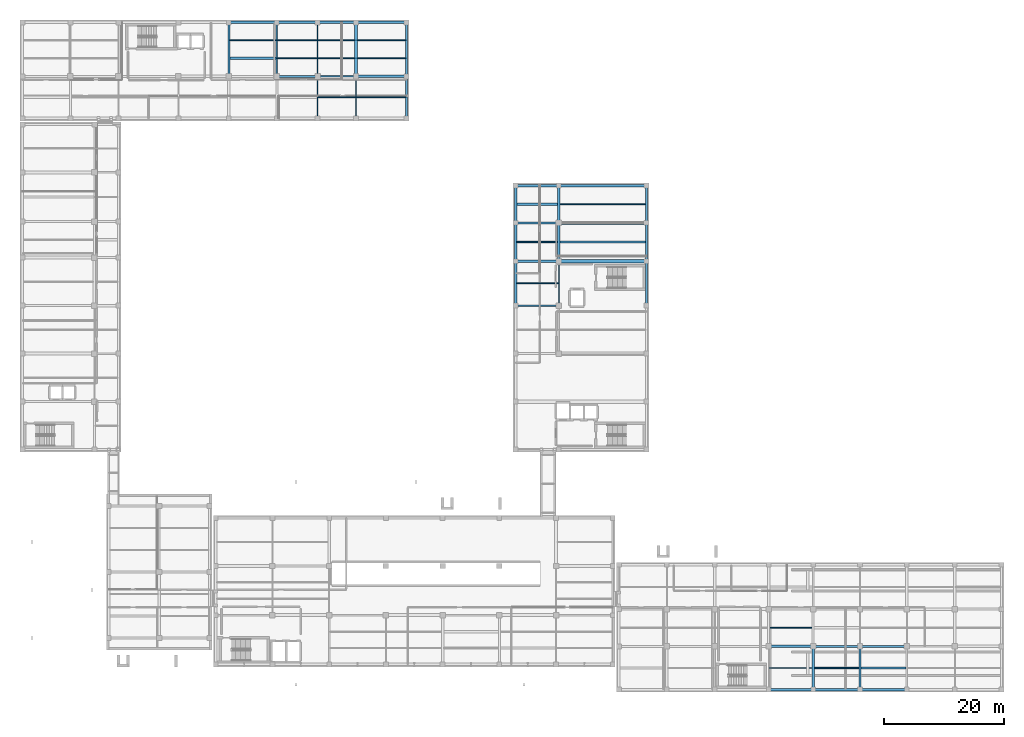
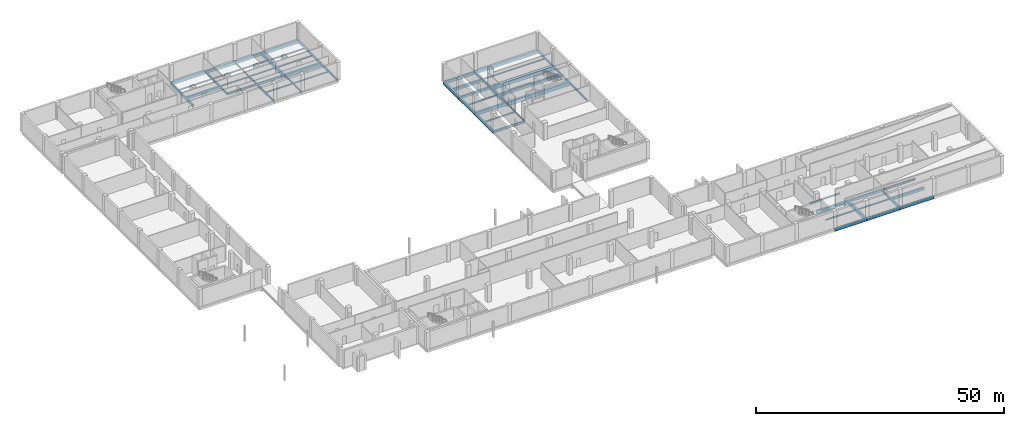
# One storey, part 12 of 31: 58 beams.
"""IFC4 building model written with IfcOpenShell, lengths in metres."""

from ifc_helpers import new_model, si_unit, direction, frame, origin, origin_2d, place, context, subcontext, project, spatial, rectangle, i_section, extrude, material, material_profile, profile_set, type_object, element, save


model = new_model("IFC4")

# Units and contexts
model_context = context("Model", 3, precision=1e-05, world=origin(), true_north=direction((0.0, 1.0)))
body_context = subcontext(model_context, "Body", "Model", "MODEL_VIEW")
ifc_project = project(units=[si_unit("LENGTHUNIT", "METRE"), si_unit("AREAUNIT", "SQUARE_METRE"), si_unit("VOLUMEUNIT", "CUBIC_METRE"), si_unit("PLANEANGLEUNIT", "RADIAN"), si_unit("MASSUNIT", "GRAM", prefix="KILO")], contexts=[model_context])

# Site, building, storey
site_placement = place(None, origin())
site = spatial("IfcSite", under=ifc_project, at=site_placement, CompositionType="ELEMENT")
building_placement = place(site_placement, origin())
building = spatial("IfcBuilding", under=site, at=building_placement, Name="Qalavern Law Courts", CompositionType="ELEMENT")
storey_placement = place(building_placement, frame((0.0, 0.0, -4.199951171875)))
storey = spatial("IfcBuildingStorey", under=building, at=storey_placement, Name="B1", CompositionType="ELEMENT", Elevation=-4.199951171875)

# Beams
ifc_material_1 = material(Name="Steel S355", Category="steel")
ifc_material_profile_1 = material_profile(ifc_material_1, i_section(OverallWidth=0.300048828125, OverallDepth=0.489990234375, WebThickness=0.011962890625, FlangeThickness=0.02294921875, FilletRadius=0.027099609375, at=origin_2d()), Name="HEA 500")
ifc_profile_set_1 = profile_set([ifc_material_profile_1], Name="Steel S355")
beam_type_1 = type_object("IfcBeamType", Name="STR-BM-HEA500", PredefinedType="BEAM", material=ifc_profile_set_1)
beam_1_placement = place(storey_placement, frame((44.800048828125, 103.60009765625, -0.56494140625), z_axis=(1.0, 0.0, 0.0), x_axis=(0.0, 1.0, 0.0)))
element("IfcBeam", 1, at=beam_1_placement, inside=storey, type_object=beam_type_1, Name="V5 X-beam 2-6 B1", PredefinedType="BEAM", context=body_context, shape_type="SweptSolid", body=[
    extrude(i_section(OverallWidth=0.300048828125, OverallDepth=0.489990234375, WebThickness=0.011962890625, FlangeThickness=0.02294921875, FilletRadius=0.027099609375, at=origin_2d()), origin(), (0.0, 0.0, 1.0), 6.800048828125),
])
beam_2_placement = place(storey_placement, frame((142.0, 8.60009765625, -0.56494140625), z_axis=(1.0, 0.0, 0.0), x_axis=(0.0, 1.0, 0.0)))
element("IfcBeam", 2, at=beam_2_placement, inside=storey, type_object=beam_type_1, Name="V6 X-beam 2-6 B1", PredefinedType="BEAM", context=body_context, shape_type="SweptSolid", body=[
    extrude(i_section(OverallWidth=0.300048828125, OverallDepth=0.489990234375, WebThickness=0.011962890625, FlangeThickness=0.02294921875, FilletRadius=0.027099609375, at=origin_2d()), origin(), (0.0, 0.0, 1.0), 7.800048828125),
])
ifc_material_profile_2 = material_profile(ifc_material_1, i_section(OverallWidth=0.179931640625, OverallDepth=0.39990234375, WebThickness=0.008544921875, FlangeThickness=0.013427734375, FilletRadius=0.02099609375, at=origin_2d()), Name="IPE 400")
ifc_profile_set_2 = profile_set([ifc_material_profile_2], Name="Steel S355")
beam_type_2 = type_object("IfcBeamType", Name="STR-BM-IPE400", PredefinedType="BEAM", material=ifc_profile_set_2)
beam_3_placement = place(storey_placement, frame((91.800048828125, 65.39990234375, -0.52001953125), z_axis=(0.0, 1.0, 0.0), x_axis=(-1.0, 0.0, 0.0)))
element("IfcBeam", 3, at=beam_3_placement, inside=storey, type_object=beam_type_2, Name="V4 Y-beam 2-3 B1", PredefinedType="BEAM", context=body_context, shape_type="SweptSolid", body=[
    extrude(i_section(OverallWidth=0.179931640625, OverallDepth=0.39990234375, WebThickness=0.008544921875, FlangeThickness=0.013427734375, FilletRadius=0.02099609375, at=origin_2d()), origin(), (0.0, 0.0, 1.0), 7.400146484375),
])
beam_4_placement = place(storey_placement, frame((51.60009765625, 103.60009765625, -0.52001953125), z_axis=(0.0, 1.0, 0.0), x_axis=(-1.0, 0.0, 0.0)))
element("IfcBeam", 4, at=beam_4_placement, inside=storey, type_object=beam_type_2, Name="V5 Y-beam 7-2 B1", PredefinedType="BEAM", context=body_context, shape_type="SweptSolid", body=[
    extrude(i_section(OverallWidth=0.179931640625, OverallDepth=0.39990234375, WebThickness=0.008544921875, FlangeThickness=0.013427734375, FilletRadius=0.02099609375, at=origin_2d()), origin(), (0.0, 0.0, 1.0), 9.0),
])
beam_5_placement = place(storey_placement, frame((58.0, 96.60009765625, -0.52001953125), z_axis=(0.0, 1.0, 0.0), x_axis=(-1.0, 0.0, 0.0)))
element("IfcBeam", 5, at=beam_5_placement, inside=storey, type_object=beam_type_2, Name="V5 Y-beam 8-1 B1", PredefinedType="BEAM", context=body_context, shape_type="SweptSolid", body=[
    extrude(i_section(OverallWidth=0.179931640625, OverallDepth=0.39990234375, WebThickness=0.008544921875, FlangeThickness=0.013427734375, FilletRadius=0.02099609375, at=origin_2d()), origin(), (0.0, 0.0, 1.0), 7.0),
])
ifc_material_profile_3 = material_profile(ifc_material_1, i_section(OverallWidth=0.199951171875, OverallDepth=0.5, WebThickness=0.01025390625, FlangeThickness=0.01611328125, FilletRadius=0.02099609375, at=origin_2d()), Name="IPE 500")
ifc_profile_set_3 = profile_set([ifc_material_profile_3], Name="Steel S355")
beam_type_3 = type_object("IfcBeamType", Name="STR-BM-IPE500", PredefinedType="BEAM", material=ifc_profile_set_3)
beam_6_placement = place(storey_placement, frame((44.800048828125, 103.60009765625, -0.570068359375), z_axis=(0.0, 1.0, 0.0), x_axis=(-1.0, 0.0, 0.0)))
element("IfcBeam", 6, at=beam_6_placement, inside=storey, type_object=beam_type_3, Name="V5 Y-beam 6-2 B1", PredefinedType="BEAM", context=body_context, shape_type="SweptSolid", body=[
    extrude(i_section(OverallWidth=0.199951171875, OverallDepth=0.5, WebThickness=0.01025390625, FlangeThickness=0.01611328125, FilletRadius=0.02099609375, at=origin_2d()), origin(), (0.0, 0.0, 1.0), 9.0),
])
beam_7_placement = place(storey_placement, frame((51.60009765625, 96.60009765625, -0.570068359375), z_axis=(0.0, 1.0, 0.0), x_axis=(-1.0, 0.0, 0.0)))
element("IfcBeam", 7, at=beam_7_placement, inside=storey, type_object=beam_type_3, Name="V5 Y-beam 7-1 B1", PredefinedType="BEAM", context=body_context, shape_type="SweptSolid", body=[
    extrude(i_section(OverallWidth=0.199951171875, OverallDepth=0.5, WebThickness=0.01025390625, FlangeThickness=0.01611328125, FilletRadius=0.02099609375, at=origin_2d()), origin(), (0.0, 0.0, 1.0), 7.0),
])
ifc_material_profile_4 = material_profile(ifc_material_1, i_section(OverallWidth=0.219970703125, OverallDepth=0.60009765625, WebThickness=0.011962890625, FlangeThickness=0.01904296875, FilletRadius=0.02392578125, at=origin_2d()), Name="IPE 600")
ifc_profile_set_4 = profile_set([ifc_material_profile_4], Name="Steel S355")
beam_type_4 = type_object("IfcBeamType", Name="STR-BM-IPE600", PredefinedType="BEAM", material=ifc_profile_set_4)
beam_8_placement = place(storey_placement, frame((84.60009765625, 65.39990234375, -0.6201171875), z_axis=(1.0, 0.0, 0.0), x_axis=(0.0, 1.0, 0.0)))
element("IfcBeam", 8, at=beam_8_placement, inside=storey, type_object=beam_type_4, Name="V4 X-beam 4-1 B1", PredefinedType="BEAM", context=body_context, shape_type="SweptSolid", body=[
    extrude(i_section(OverallWidth=0.219970703125, OverallDepth=0.60009765625, WebThickness=0.011962890625, FlangeThickness=0.01904296875, FilletRadius=0.02392578125, at=origin_2d()), origin(), (0.0, 0.0, 1.0), 7.199951171875),
])
beam_9_placement = place(storey_placement, frame((51.60009765625, 103.60009765625, -0.6201171875), z_axis=(1.0, 0.0, 0.0), x_axis=(0.0, 1.0, 0.0)))
element("IfcBeam", 9, at=beam_9_placement, inside=storey, type_object=beam_type_4, Name="V5 X-beam 2-7 B1", PredefinedType="BEAM", context=body_context, shape_type="SweptSolid", body=[
    extrude(i_section(OverallWidth=0.219970703125, OverallDepth=0.60009765625, WebThickness=0.011962890625, FlangeThickness=0.01904296875, FilletRadius=0.02392578125, at=origin_2d()), origin(), (0.0, 0.0, 1.0), 6.39990234375),
])
ifc_material_2 = material(Name="Concrete C35/45", Category="concrete")
ifc_material_profile_5 = material_profile(ifc_material_2, rectangle(XDim=0.35009765625, YDim=0.550048828125, at=origin_2d()), Name="RC 350x550")
ifc_profile_set_5 = profile_set([ifc_material_profile_5], Name="Concrete C35/45")
beam_type_5 = type_object("IfcBeamType", Name="STR-BM-RC350x550", PredefinedType="BEAM", material=ifc_profile_set_5)
beam_10_placement = place(storey_placement, frame((91.800048828125, 79.199951171875, -0.594970703125), z_axis=(0.0, 1.0, 0.0), x_axis=(-1.0, 0.0, 0.0)))
element("IfcBeam", 10, at=beam_10_placement, inside=storey, type_object=beam_type_5, Name="V4 Y-beam 2-5 B1", PredefinedType="BEAM", context=body_context, shape_type="SweptSolid", body=[
    extrude(rectangle(XDim=0.35009765625, YDim=0.550048828125, at=origin_2d()), origin(), (0.0, 0.0, 1.0), 6.199951171875),
])
beam_11_placement = place(storey_placement, frame((36.800048828125, 103.60009765625, -0.594970703125), z_axis=(0.0, 1.0, 0.0), x_axis=(-1.0, 0.0, 0.0)))
element("IfcBeam", 11, at=beam_11_placement, inside=storey, type_object=beam_type_5, Name="V5 Y-beam 5-2 B1", PredefinedType="BEAM", context=body_context, shape_type="SweptSolid", body=[
    extrude(rectangle(XDim=0.35009765625, YDim=0.550048828125, at=origin_2d()), origin(), (0.0, 0.0, 1.0), 9.0),
])
beam_12_placement = place(storey_placement, frame((142.0, 1.39990234375, -0.594970703125), z_axis=(0.0, 1.0, 0.0), x_axis=(-1.0, 0.0, 0.0)))
element("IfcBeam", 12, at=beam_12_placement, inside=storey, type_object=beam_type_5, Name="V6 Y-beam 6-1 B1", PredefinedType="BEAM", context=body_context, shape_type="SweptSolid", body=[
    extrude(rectangle(XDim=0.35009765625, YDim=0.550048828125, at=origin_2d()), origin(), (0.0, 0.0, 1.0), 7.2001953125),
])
ifc_material_profile_6 = material_profile(ifc_material_2, rectangle(XDim=0.35009765625, YDim=0.60009765625, at=origin_2d()), Name="RC 350x600")
ifc_profile_set_6 = profile_set([ifc_material_profile_6], Name="Concrete C35/45")
beam_type_6 = type_object("IfcBeamType", Name="STR-BM-RC350x600", PredefinedType="BEAM", material=ifc_profile_set_6)
beam_13_placement = place(storey_placement, frame((84.60009765625, 79.199951171875, -0.6201171875), z_axis=(1.0, 0.0, 0.0), x_axis=(0.0, 1.0, 0.0)))
element("IfcBeam", 13, at=beam_13_placement, inside=storey, type_object=beam_type_6, Name="V4 X-beam 6-1 B1", PredefinedType="BEAM", context=body_context, shape_type="SweptSolid", body=[
    extrude(rectangle(XDim=0.35009765625, YDim=0.60009765625, at=origin_2d()), origin(), (0.0, 0.0, 1.0), 7.199951171875),
])
beam_14_placement = place(storey_placement, frame((134.199951171875, 8.60009765625, -0.6201171875), z_axis=(1.0, 0.0, 0.0), x_axis=(0.0, 1.0, 0.0)))
element("IfcBeam", 14, at=beam_14_placement, inside=storey, type_object=beam_type_6, Name="V6 X-beam 2-5 B1", PredefinedType="BEAM", context=body_context, shape_type="SweptSolid", body=[
    extrude(rectangle(XDim=0.35009765625, YDim=0.60009765625, at=origin_2d()), origin(), (0.0, 0.0, 1.0), 7.800048828125),
])
ifc_material_3 = material(Name="Concrete C40/50", Category="concrete")
ifc_material_profile_7 = material_profile(ifc_material_3, rectangle(XDim=0.449951171875, YDim=0.75, at=origin_2d()), Name="RC 450x750")
ifc_profile_set_7 = profile_set([ifc_material_profile_7], Name="Concrete C40/50")
beam_type_7 = type_object("IfcBeamType", Name="STR-BM-RC450x750", PredefinedType="BEAM", material=ifc_profile_set_7)
beam_15_placement = place(storey_placement, frame((84.60009765625, 72.800048828125, -0.695068359375), z_axis=(1.0, 0.0, 0.0), x_axis=(0.0, 1.0, 0.0)))
element("IfcBeam", 15, at=beam_15_placement, inside=storey, type_object=beam_type_7, Name="V4 X-beam 5-1 B1", PredefinedType="BEAM", context=body_context, shape_type="SweptSolid", body=[
    extrude(rectangle(XDim=0.449951171875, YDim=0.75, at=origin_2d()), origin(), (0.0, 0.0, 1.0), 7.199951171875),
])
beam_16_placement = place(storey_placement, frame((91.800048828125, 72.800048828125, -0.695068359375), z_axis=(0.0, 1.0, 0.0), x_axis=(-1.0, 0.0, 0.0)))
element("IfcBeam", 16, at=beam_16_placement, inside=storey, type_object=beam_type_7, Name="V4 Y-beam 2-4 B1", PredefinedType="BEAM", context=body_context, shape_type="SweptSolid", body=[
    extrude(rectangle(XDim=0.449951171875, YDim=0.75, at=origin_2d()), origin(), (0.0, 0.0, 1.0), 6.39990234375),
])
beam_17_placement = place(storey_placement, frame((58.0, 103.60009765625, -0.695068359375), z_axis=(1.0, 0.0, 0.0), x_axis=(0.0, 1.0, 0.0)))
element("IfcBeam", 17, at=beam_17_placement, inside=storey, type_object=beam_type_7, Name="V5 X-beam 2-8 B1", PredefinedType="BEAM", context=body_context, shape_type="SweptSolid", body=[
    extrude(rectangle(XDim=0.449951171875, YDim=0.75, at=origin_2d()), origin(), (0.0, 0.0, 1.0), 8.39990234375),
])
beam_18_placement = place(storey_placement, frame((58.0, 103.60009765625, -0.695068359375), z_axis=(0.0, 1.0, 0.0), x_axis=(-1.0, 0.0, 0.0)))
element("IfcBeam", 18, at=beam_18_placement, inside=storey, type_object=beam_type_7, Name="V5 Y-beam 8-2 B1", PredefinedType="BEAM", context=body_context, shape_type="SweptSolid", body=[
    extrude(rectangle(XDim=0.449951171875, YDim=0.75, at=origin_2d()), origin(), (0.0, 0.0, 1.0), 9.0),
])
beam_19_placement = place(storey_placement, frame((126.800048828125, 8.60009765625, -0.695068359375), z_axis=(1.0, 0.0, 0.0), x_axis=(0.0, 1.0, 0.0)))
element("IfcBeam", 19, at=beam_19_placement, inside=storey, type_object=beam_type_7, Name="V6 X-beam 2-4 B1", PredefinedType="BEAM", context=body_context, shape_type="SweptSolid", body=[
    extrude(rectangle(XDim=0.449951171875, YDim=0.75, at=origin_2d()), origin(), (0.0, 0.0, 1.0), 7.39990234375),
])
beam_20_placement = place(storey_placement, frame((134.199951171875, 1.39990234375, -0.695068359375), z_axis=(0.0, 1.0, 0.0), x_axis=(-1.0, 0.0, 0.0)))
element("IfcBeam", 20, at=beam_20_placement, inside=storey, type_object=beam_type_7, Name="V6 Y-beam 5-1 B1", PredefinedType="BEAM", context=body_context, shape_type="SweptSolid", body=[
    extrude(rectangle(XDim=0.449951171875, YDim=0.75, at=origin_2d()), origin(), (0.0, 0.0, 1.0), 7.2001953125),
])
ifc_material_profile_8 = material_profile(ifc_material_3, rectangle(XDim=0.550048828125, YDim=0.949951171875, at=origin_2d()), Name="RC 550x950")
ifc_profile_set_8 = profile_set([ifc_material_profile_8], Name="Concrete C40/50")
beam_type_8 = type_object("IfcBeamType", Name="STR-BM-RC550x950", PredefinedType="BEAM", material=ifc_profile_set_8)
for number, where, z_axis, x_axis, name in (
    (21, (91.800048828125, 72.800048828125, -0.795166015625), (1.0, 0.0, 0.0), (0.0, 1.0, 0.0), "V4 X-beam 5-2 B1"),
    (22, (91.800048828125, 79.199951171875, -0.795166015625), (1.0, 0.0, 0.0), (0.0, 1.0, 0.0), "V4 X-beam 6-2 B1"),
):
    element("IfcBeam", number, at=place(storey_placement, frame(where, z_axis=z_axis, x_axis=x_axis)), inside=storey, type_object=beam_type_8, Name=name, PredefinedType="BEAM", context=body_context, shape_type="SweptSolid", body=[
        extrude(rectangle(XDim=0.550048828125, YDim=0.949951171875, at=origin_2d()), origin(), (0.0, 0.0, 1.0), 14.599853515625),
    ])
ifc_material_profile_9 = material_profile(ifc_material_1, i_section(OverallWidth=0.135009765625, OverallDepth=0.27001953125, WebThickness=0.006591796875, FlangeThickness=0.01025390625, FilletRadius=0.014892578125, at=origin_2d()), Name="IPE 270")
ifc_profile_set_9 = profile_set([ifc_material_profile_9], Name="Steel S355")
beam_type_9 = type_object("IfcBeamType", Name="STR-JST-IPE270", PredefinedType="JOIST", material=ifc_profile_set_9)
beam_21_placement = place(storey_placement, frame((84.798095703125, 69.10009765625, -0.455078125), z_axis=(1.0, 0.0, 0.0), x_axis=(0.0, 1.0, 0.0)))
element("IfcBeam", 23, at=beam_21_placement, inside=storey, type_object=beam_type_9, Name="V4 secondary joist 1.4.1 B1", PredefinedType="JOIST", context=body_context, shape_type="SweptSolid", body=[
    extrude(i_section(OverallWidth=0.135009765625, OverallDepth=0.27001953125, WebThickness=0.006591796875, FlangeThickness=0.01025390625, FilletRadius=0.014892578125, at=origin_2d()), origin(), (0.0, 0.0, 1.0), 6.913818359375),
])
beam_22_placement = place(storey_placement, frame((51.68798828125, 109.60009765625, -0.455078125), z_axis=(1.0, 0.0, 0.0), x_axis=(0.0, 1.0, 0.0)))
element("IfcBeam", 24, at=beam_22_placement, inside=storey, type_object=beam_type_9, Name="V5 secondary joist 7.2.2 B1", PredefinedType="JOIST", context=body_context, shape_type="SweptSolid", body=[
    extrude(i_section(OverallWidth=0.135009765625, OverallDepth=0.27001953125, WebThickness=0.006591796875, FlangeThickness=0.01025390625, FilletRadius=0.014892578125, at=origin_2d()), origin(), (0.0, 0.0, 1.0), 6.089111328125),
])
beam_23_placement = place(storey_placement, frame((58.222900390625, 106.60009765625, -0.455078125), z_axis=(1.0, 0.0, 0.0), x_axis=(0.0, 1.0, 0.0)))
element("IfcBeam", 25, at=beam_23_placement, inside=storey, type_object=beam_type_9, Name="V5 secondary joist 8.2.1 B1", PredefinedType="JOIST", context=body_context, shape_type="SweptSolid", body=[
    extrude(i_section(OverallWidth=0.135009765625, OverallDepth=0.27001953125, WebThickness=0.006591796875, FlangeThickness=0.01025390625, FilletRadius=0.014892578125, at=origin_2d()), origin(), (0.0, 0.0, 1.0), 8.029052734375),
])
beam_24_placement = place(storey_placement, frame((126.887939453125, 5.0, -0.455078125), z_axis=(1.0, 0.0, 0.0), x_axis=(0.0, 1.0, 0.0)))
element("IfcBeam", 26, at=beam_24_placement, inside=storey, type_object=beam_type_9, Name="V6 secondary joist 4.1.1 B1", PredefinedType="JOIST", context=body_context, shape_type="SweptSolid", body=[
    extrude(i_section(OverallWidth=0.135009765625, OverallDepth=0.27001953125, WebThickness=0.006591796875, FlangeThickness=0.01025390625, FilletRadius=0.014892578125, at=origin_2d()), origin(), (0.0, 0.0, 1.0), 7.089111328125),
])
ifc_material_profile_10 = material_profile(ifc_material_1, i_section(OverallWidth=0.14990234375, OverallDepth=0.300048828125, WebThickness=0.007080078125, FlangeThickness=0.0107421875, FilletRadius=0.014892578125, at=origin_2d()), Name="IPE 300")
ifc_profile_set_10 = profile_set([ifc_material_profile_10], Name="Steel S355")
beam_type_10 = type_object("IfcBeamType", Name="STR-JST-IPE300", PredefinedType="JOIST", material=ifc_profile_set_10)
beam_25_placement = place(storey_placement, frame((44.89794921875, 109.60009765625, -0.469970703125), z_axis=(1.0, 0.0, 0.0), x_axis=(0.0, 1.0, 0.0)))
element("IfcBeam", 27, at=beam_25_placement, inside=storey, type_object=beam_type_10, Name="V5 secondary joist 6.2.2 B1", PredefinedType="JOIST", context=body_context, shape_type="SweptSolid", body=[
    extrude(i_section(OverallWidth=0.14990234375, OverallDepth=0.300048828125, WebThickness=0.007080078125, FlangeThickness=0.0107421875, FilletRadius=0.014892578125, at=origin_2d()), origin(), (0.0, 0.0, 1.0), 6.614013671875),
])
beam_26_placement = place(storey_placement, frame((51.68798828125, 106.60009765625, -0.469970703125), z_axis=(1.0, 0.0, 0.0), x_axis=(0.0, 1.0, 0.0)))
element("IfcBeam", 28, at=beam_26_placement, inside=storey, type_object=beam_type_10, Name="V5 secondary joist 7.2.1 B1", PredefinedType="JOIST", context=body_context, shape_type="SweptSolid", body=[
    extrude(i_section(OverallWidth=0.14990234375, OverallDepth=0.300048828125, WebThickness=0.007080078125, FlangeThickness=0.0107421875, FilletRadius=0.014892578125, at=origin_2d()), origin(), (0.0, 0.0, 1.0), 6.089111328125),
])
beam_27_placement = place(storey_placement, frame((58.087890625, 100.10009765625, -0.469970703125), z_axis=(1.0, 0.0, 0.0), x_axis=(0.0, 1.0, 0.0)))
element("IfcBeam", 29, at=beam_27_placement, inside=storey, type_object=beam_type_10, Name="V5 secondary joist 8.1.1 B1", PredefinedType="JOIST", context=body_context, shape_type="SweptSolid", body=[
    extrude(i_section(OverallWidth=0.14990234375, OverallDepth=0.300048828125, WebThickness=0.007080078125, FlangeThickness=0.0107421875, FilletRadius=0.014892578125, at=origin_2d()), origin(), (0.0, 0.0, 1.0), 8.1640625),
])
ifc_material_profile_11 = material_profile(ifc_material_1, i_section(OverallWidth=0.159912109375, OverallDepth=0.330078125, WebThickness=0.007568359375, FlangeThickness=0.011474609375, FilletRadius=0.01806640625, at=origin_2d()), Name="IPE 330")
ifc_profile_set_11 = profile_set([ifc_material_profile_11], Name="Steel S355")
beam_type_11 = type_object("IfcBeamType", Name="STR-JST-IPE330", PredefinedType="JOIST", material=ifc_profile_set_11)
beam_28_placement = place(storey_placement, frame((91.972900390625, 82.300048828125, -0.485107421875), z_axis=(1.0, 0.0, 0.0), x_axis=(0.0, 1.0, 0.0)))
element("IfcBeam", 30, at=beam_28_placement, inside=storey, type_object=beam_type_11, Name="V4 secondary joist 2.6.1 B1", PredefinedType="JOIST", context=body_context, shape_type="SweptSolid", body=[
    extrude(i_section(OverallWidth=0.159912109375, OverallDepth=0.330078125, WebThickness=0.007568359375, FlangeThickness=0.011474609375, FilletRadius=0.01806640625, at=origin_2d()), origin(), (0.0, 0.0, 1.0), 14.279052734375),
])
beam_29_placement = place(storey_placement, frame((36.972900390625, 109.60009765625, -0.485107421875), z_axis=(1.0, 0.0, 0.0), x_axis=(0.0, 1.0, 0.0)))
element("IfcBeam", 31, at=beam_29_placement, inside=storey, type_object=beam_type_11, Name="V5 secondary joist 5.2.2 B1", PredefinedType="JOIST", context=body_context, shape_type="SweptSolid", body=[
    extrude(i_section(OverallWidth=0.159912109375, OverallDepth=0.330078125, WebThickness=0.007568359375, FlangeThickness=0.011474609375, FilletRadius=0.01806640625, at=origin_2d()), origin(), (0.0, 0.0, 1.0), 7.72900390625),
])
beam_30_placement = place(storey_placement, frame((44.89794921875, 106.60009765625, -0.485107421875), z_axis=(1.0, 0.0, 0.0), x_axis=(0.0, 1.0, 0.0)))
element("IfcBeam", 32, at=beam_30_placement, inside=storey, type_object=beam_type_11, Name="V5 secondary joist 6.2.1 B1", PredefinedType="JOIST", context=body_context, shape_type="SweptSolid", body=[
    extrude(i_section(OverallWidth=0.159912109375, OverallDepth=0.330078125, WebThickness=0.007568359375, FlangeThickness=0.011474609375, FilletRadius=0.01806640625, at=origin_2d()), origin(), (0.0, 0.0, 1.0), 6.614013671875),
])
beam_31_placement = place(storey_placement, frame((51.697998046875, 100.10009765625, -0.485107421875), z_axis=(1.0, 0.0, 0.0), x_axis=(0.0, 1.0, 0.0)))
element("IfcBeam", 33, at=beam_31_placement, inside=storey, type_object=beam_type_11, Name="V5 secondary joist 7.1.1 B1", PredefinedType="JOIST", context=body_context, shape_type="SweptSolid", body=[
    extrude(i_section(OverallWidth=0.159912109375, OverallDepth=0.330078125, WebThickness=0.007568359375, FlangeThickness=0.011474609375, FilletRadius=0.01806640625, at=origin_2d()), origin(), (0.0, 0.0, 1.0), 6.214111328125),
])
ifc_material_profile_12 = material_profile(ifc_material_1, i_section(OverallWidth=0.169921875, OverallDepth=0.360107421875, WebThickness=0.008056640625, FlangeThickness=0.0126953125, FilletRadius=0.01806640625, at=origin_2d()), Name="IPE 360")
ifc_profile_set_12 = profile_set([ifc_material_profile_12], Name="Steel S355")
beam_type_12 = type_object("IfcBeamType", Name="STR-JST-IPE360", PredefinedType="JOIST", material=ifc_profile_set_12)
beam_32_placement = place(storey_placement, frame((84.798095703125, 76.0, -0.5), z_axis=(1.0, 0.0, 0.0), x_axis=(0.0, 1.0, 0.0)))
element("IfcBeam", 34, at=beam_32_placement, inside=storey, type_object=beam_type_12, Name="V4 secondary joist 1.5.1 B1", PredefinedType="JOIST", context=body_context, shape_type="SweptSolid", body=[
    extrude(i_section(OverallWidth=0.169921875, OverallDepth=0.360107421875, WebThickness=0.008056640625, FlangeThickness=0.0126953125, FilletRadius=0.01806640625, at=origin_2d()), origin(), (0.0, 0.0, 1.0), 6.77880859375),
])
beam_33_placement = place(storey_placement, frame((58.222900390625, 109.60009765625, -0.5), z_axis=(1.0, 0.0, 0.0), x_axis=(0.0, 1.0, 0.0)))
element("IfcBeam", 35, at=beam_33_placement, inside=storey, type_object=beam_type_12, Name="V5 secondary joist 8.2.2 B1", PredefinedType="JOIST", context=body_context, shape_type="SweptSolid", body=[
    extrude(i_section(OverallWidth=0.169921875, OverallDepth=0.360107421875, WebThickness=0.008056640625, FlangeThickness=0.0126953125, FilletRadius=0.01806640625, at=origin_2d()), origin(), (0.0, 0.0, 1.0), 8.029052734375),
])
beam_34_placement = place(storey_placement, frame((127.02294921875, 11.699951171875, -0.5), z_axis=(1.0, 0.0, 0.0), x_axis=(0.0, 1.0, 0.0)))
element("IfcBeam", 36, at=beam_34_placement, inside=storey, type_object=beam_type_12, Name="V6 secondary joist 4.2.1 B1", PredefinedType="JOIST", context=body_context, shape_type="SweptSolid", body=[
    extrude(i_section(OverallWidth=0.169921875, OverallDepth=0.360107421875, WebThickness=0.008056640625, FlangeThickness=0.0126953125, FilletRadius=0.01806640625, at=origin_2d()), origin(), (0.0, 0.0, 1.0), 7.004150390625),
])
beam_35_placement = place(storey_placement, frame((134.423095703125, 5.0, -0.5), z_axis=(1.0, 0.0, 0.0), x_axis=(0.0, 1.0, 0.0)))
element("IfcBeam", 37, at=beam_35_placement, inside=storey, type_object=beam_type_12, Name="V6 secondary joist 5.1.1 B1", PredefinedType="JOIST", context=body_context, shape_type="SweptSolid", body=[
    extrude(i_section(OverallWidth=0.169921875, OverallDepth=0.360107421875, WebThickness=0.008056640625, FlangeThickness=0.0126953125, FilletRadius=0.01806640625, at=origin_2d()), origin(), (0.0, 0.0, 1.0), 7.40380859375),
])
ifc_material_profile_13 = material_profile(ifc_material_2, rectangle(XDim=0.39990234375, YDim=0.64990234375, at=origin_2d()), Name="RC 400x650")
ifc_profile_set_13 = profile_set([ifc_material_profile_13], Name="Concrete C35/45")
beam_type_13 = type_object("IfcBeamType", Name="STR-JST-RC400x650", PredefinedType="JOIST", material=ifc_profile_set_13)
beam_36_placement = place(storey_placement, frame((84.798095703125, 82.300048828125, -0.64501953125), z_axis=(1.0, 0.0, 0.0), x_axis=(0.0, 1.0, 0.0)))
element("IfcBeam", 38, at=beam_36_placement, inside=storey, type_object=beam_type_13, Name="V4 secondary joist 1.6.1 B1", PredefinedType="JOIST", context=body_context, shape_type="SweptSolid", body=[
    extrude(rectangle(XDim=0.39990234375, YDim=0.64990234375, at=origin_2d()), origin(), (0.0, 0.0, 1.0), 6.828857421875),
])
beam_37_placement = place(storey_placement, frame((92.02294921875, 76.0, -0.64501953125), z_axis=(1.0, 0.0, 0.0), x_axis=(0.0, 1.0, 0.0)))
element("IfcBeam", 39, at=beam_37_placement, inside=storey, type_object=beam_type_13, Name="V4 secondary joist 2.5.1 B1", PredefinedType="JOIST", context=body_context, shape_type="SweptSolid", body=[
    extrude(rectangle(XDim=0.39990234375, YDim=0.64990234375, at=origin_2d()), origin(), (0.0, 0.0, 1.0), 14.22900390625),
])
beam_38_placement = place(storey_placement, frame((36.972900390625, 106.60009765625, -0.64501953125), z_axis=(1.0, 0.0, 0.0), x_axis=(0.0, 1.0, 0.0)))
element("IfcBeam", 40, at=beam_38_placement, inside=storey, type_object=beam_type_13, Name="V5 secondary joist 5.2.1 B1", PredefinedType="JOIST", context=body_context, shape_type="SweptSolid", body=[
    extrude(rectangle(XDim=0.39990234375, YDim=0.64990234375, at=origin_2d()), origin(), (0.0, 0.0, 1.0), 7.72900390625),
])
beam_39_placement = place(storey_placement, frame((142.173095703125, 5.0, -0.64501953125), z_axis=(1.0, 0.0, 0.0), x_axis=(0.0, 1.0, 0.0)))
element("IfcBeam", 41, at=beam_39_placement, inside=storey, type_object=beam_type_13, Name="V6 secondary joist 6.1.1 B1", PredefinedType="JOIST", context=body_context, shape_type="SweptSolid", body=[
    extrude(rectangle(XDim=0.39990234375, YDim=0.64990234375, at=origin_2d()), origin(), (0.0, 0.0, 1.0), 7.52880859375),
])
ifc_material_profile_14 = material_profile(ifc_material_1, i_section(OverallWidth=0.300048828125, OverallDepth=0.449951171875, WebThickness=0.013916015625, FlangeThickness=0.02587890625, FilletRadius=0.027099609375, at=origin_2d()), Name="HEB 450")
ifc_profile_set_14 = profile_set([ifc_material_profile_14], Name="Steel S355")
beam_type_14 = type_object("IfcBeamType", Name="STR-SP-HEB450", PredefinedType="SPANDREL", material=ifc_profile_set_14)
beam_40_placement = place(storey_placement, frame((106.39990234375, 65.39990234375, -0.545166015625), z_axis=(0.0, 1.0, 0.0), x_axis=(-1.0, 0.0, 0.0)))
element("IfcBeam", 42, at=beam_40_placement, inside=storey, type_object=beam_type_14, Name="V4 Y-beam 3-4 B1", PredefinedType="SPANDREL", context=body_context, shape_type="SweptSolid", body=[
    extrude(i_section(OverallWidth=0.300048828125, OverallDepth=0.449951171875, WebThickness=0.013916015625, FlangeThickness=0.02587890625, FilletRadius=0.027099609375, at=origin_2d()), origin(), (0.0, 0.0, 1.0), 7.400146484375),
])
beam_41_placement = place(storey_placement, frame((106.39990234375, 72.800048828125, -0.545166015625), z_axis=(0.0, 1.0, 0.0), x_axis=(-1.0, 0.0, 0.0)))
element("IfcBeam", 43, at=beam_41_placement, inside=storey, type_object=beam_type_14, Name="V4 Y-beam 3-5 B1", PredefinedType="SPANDREL", context=body_context, shape_type="SweptSolid", body=[
    extrude(i_section(OverallWidth=0.300048828125, OverallDepth=0.449951171875, WebThickness=0.013916015625, FlangeThickness=0.02587890625, FilletRadius=0.027099609375, at=origin_2d()), origin(), (0.0, 0.0, 1.0), 6.39990234375),
])
beam_42_placement = place(storey_placement, frame((106.39990234375, 79.199951171875, -0.545166015625), z_axis=(0.0, 1.0, 0.0), x_axis=(-1.0, 0.0, 0.0)))
element("IfcBeam", 44, at=beam_42_placement, inside=storey, type_object=beam_type_14, Name="V4 Y-beam 3-6 B1", PredefinedType="SPANDREL", context=body_context, shape_type="SweptSolid", body=[
    extrude(i_section(OverallWidth=0.300048828125, OverallDepth=0.449951171875, WebThickness=0.013916015625, FlangeThickness=0.02587890625, FilletRadius=0.027099609375, at=origin_2d()), origin(), (0.0, 0.0, 1.0), 6.199951171875),
])
beam_43_placement = place(storey_placement, frame((66.39990234375, 96.60009765625, -0.545166015625), z_axis=(0.0, 1.0, 0.0), x_axis=(-1.0, 0.0, 0.0)))
element("IfcBeam", 45, at=beam_43_placement, inside=storey, type_object=beam_type_14, Name="V5 Y-beam 9-1 B1", PredefinedType="SPANDREL", context=body_context, shape_type="SweptSolid", body=[
    extrude(i_section(OverallWidth=0.300048828125, OverallDepth=0.449951171875, WebThickness=0.013916015625, FlangeThickness=0.02587890625, FilletRadius=0.027099609375, at=origin_2d()), origin(), (0.0, 0.0, 1.0), 7.0),
])
beam_44_placement = place(storey_placement, frame((66.39990234375, 103.60009765625, -0.545166015625), z_axis=(0.0, 1.0, 0.0), x_axis=(-1.0, 0.0, 0.0)))
element("IfcBeam", 46, at=beam_44_placement, inside=storey, type_object=beam_type_14, Name="V5 Y-beam 9-2 B1", PredefinedType="SPANDREL", context=body_context, shape_type="SweptSolid", body=[
    extrude(i_section(OverallWidth=0.300048828125, OverallDepth=0.449951171875, WebThickness=0.013916015625, FlangeThickness=0.02587890625, FilletRadius=0.027099609375, at=origin_2d()), origin(), (0.0, 0.0, 1.0), 9.0),
])
ifc_material_profile_15 = material_profile(ifc_material_3, rectangle(XDim=0.39990234375, YDim=0.699951171875, at=origin_2d()), Name="RC 400x700")
ifc_profile_set_15 = profile_set([ifc_material_profile_15], Name="Concrete C40/50")
beam_type_15 = type_object("IfcBeamType", Name="STR-SP-RC400x700", PredefinedType="SPANDREL", material=ifc_profile_set_15)
beam_45_placement = place(storey_placement, frame((84.60009765625, 85.39990234375, -0.670166015625), z_axis=(1.0, 0.0, 0.0), x_axis=(0.0, 1.0, 0.0)))
element("IfcBeam", 47, at=beam_45_placement, inside=storey, type_object=beam_type_15, Name="V4 X-beam 7-1 B1", PredefinedType="SPANDREL", context=body_context, shape_type="SweptSolid", body=[
    extrude(rectangle(XDim=0.39990234375, YDim=0.699951171875, at=origin_2d()), origin(), (0.0, 0.0, 1.0), 7.199951171875),
])
beam_46_placement = place(storey_placement, frame((91.800048828125, 85.39990234375, -0.670166015625), z_axis=(1.0, 0.0, 0.0), x_axis=(0.0, 1.0, 0.0)))
element("IfcBeam", 48, at=beam_46_placement, inside=storey, type_object=beam_type_15, Name="V4 X-beam 7-2 B1", PredefinedType="SPANDREL", context=body_context, shape_type="SweptSolid", body=[
    extrude(rectangle(XDim=0.39990234375, YDim=0.699951171875, at=origin_2d()), origin(), (0.0, 0.0, 1.0), 14.599853515625),
])
beam_47_placement = place(storey_placement, frame((84.60009765625, 65.39990234375, -0.670166015625), z_axis=(0.0, 1.0, 0.0), x_axis=(-1.0, 0.0, 0.0)))
element("IfcBeam", 49, at=beam_47_placement, inside=storey, type_object=beam_type_15, Name="V4 Y-beam 1-4 B1", PredefinedType="SPANDREL", context=body_context, shape_type="SweptSolid", body=[
    extrude(rectangle(XDim=0.39990234375, YDim=0.699951171875, at=origin_2d()), origin(), (0.0, 0.0, 1.0), 7.400146484375),
])
beam_48_placement = place(storey_placement, frame((84.60009765625, 72.800048828125, -0.670166015625), z_axis=(0.0, 1.0, 0.0), x_axis=(-1.0, 0.0, 0.0)))
element("IfcBeam", 50, at=beam_48_placement, inside=storey, type_object=beam_type_15, Name="V4 Y-beam 1-5 B1", PredefinedType="SPANDREL", context=body_context, shape_type="SweptSolid", body=[
    extrude(rectangle(XDim=0.39990234375, YDim=0.699951171875, at=origin_2d()), origin(), (0.0, 0.0, 1.0), 6.39990234375),
])
beam_49_placement = place(storey_placement, frame((84.60009765625, 79.199951171875, -0.670166015625), z_axis=(0.0, 1.0, 0.0), x_axis=(-1.0, 0.0, 0.0)))
element("IfcBeam", 51, at=beam_49_placement, inside=storey, type_object=beam_type_15, Name="V4 Y-beam 1-6 B1", PredefinedType="SPANDREL", context=body_context, shape_type="SweptSolid", body=[
    extrude(rectangle(XDim=0.39990234375, YDim=0.699951171875, at=origin_2d()), origin(), (0.0, 0.0, 1.0), 6.199951171875),
])
beam_50_placement = place(storey_placement, frame((36.800048828125, 112.60009765625, -0.670166015625), z_axis=(1.0, 0.0, 0.0), x_axis=(0.0, 1.0, 0.0)))
element("IfcBeam", 52, at=beam_50_placement, inside=storey, type_object=beam_type_15, Name="V5 X-beam 3-5 B1", PredefinedType="SPANDREL", context=body_context, shape_type="SweptSolid", body=[
    extrude(rectangle(XDim=0.39990234375, YDim=0.699951171875, at=origin_2d()), origin(), (0.0, 0.0, 1.0), 8.0),
])
beam_51_placement = place(storey_placement, frame((44.800048828125, 112.60009765625, -0.670166015625), z_axis=(1.0, 0.0, 0.0), x_axis=(0.0, 1.0, 0.0)))
element("IfcBeam", 53, at=beam_51_placement, inside=storey, type_object=beam_type_15, Name="V5 X-beam 3-6 B1", PredefinedType="SPANDREL", context=body_context, shape_type="SweptSolid", body=[
    extrude(rectangle(XDim=0.39990234375, YDim=0.699951171875, at=origin_2d()), origin(), (0.0, 0.0, 1.0), 6.800048828125),
])
beam_52_placement = place(storey_placement, frame((51.60009765625, 112.60009765625, -0.670166015625), z_axis=(1.0, 0.0, 0.0), x_axis=(0.0, 1.0, 0.0)))
element("IfcBeam", 54, at=beam_52_placement, inside=storey, type_object=beam_type_15, Name="V5 X-beam 3-7 B1", PredefinedType="SPANDREL", context=body_context, shape_type="SweptSolid", body=[
    extrude(rectangle(XDim=0.39990234375, YDim=0.699951171875, at=origin_2d()), origin(), (0.0, 0.0, 1.0), 6.39990234375),
])
beam_53_placement = place(storey_placement, frame((58.0, 112.60009765625, -0.670166015625), z_axis=(1.0, 0.0, 0.0), x_axis=(0.0, 1.0, 0.0)))
element("IfcBeam", 55, at=beam_53_placement, inside=storey, type_object=beam_type_15, Name="V5 X-beam 3-8 B1", PredefinedType="SPANDREL", context=body_context, shape_type="SweptSolid", body=[
    extrude(rectangle(XDim=0.39990234375, YDim=0.699951171875, at=origin_2d()), origin(), (0.0, 0.0, 1.0), 8.39990234375),
])
beam_54_placement = place(storey_placement, frame((126.800048828125, 1.39990234375, -0.670166015625), z_axis=(1.0, 0.0, 0.0), x_axis=(0.0, 1.0, 0.0)))
element("IfcBeam", 56, at=beam_54_placement, inside=storey, type_object=beam_type_15, Name="V6 X-beam 1-4 B1", PredefinedType="SPANDREL", context=body_context, shape_type="SweptSolid", body=[
    extrude(rectangle(XDim=0.39990234375, YDim=0.699951171875, at=origin_2d()), origin(), (0.0, 0.0, 1.0), 7.39990234375),
])
for number, where, z_axis, x_axis, name in (
    (57, (134.199951171875, 1.39990234375, -0.670166015625), (1.0, 0.0, 0.0), (0.0, 1.0, 0.0), "V6 X-beam 1-5 B1"),
    (58, (142.0, 1.39990234375, -0.670166015625), (1.0, 0.0, 0.0), (0.0, 1.0, 0.0), "V6 X-beam 1-6 B1"),
):
    element("IfcBeam", number, at=place(storey_placement, frame(where, z_axis=z_axis, x_axis=x_axis)), inside=storey, type_object=beam_type_15, Name=name, PredefinedType="SPANDREL", context=body_context, shape_type="SweptSolid", body=[
        extrude(rectangle(XDim=0.39990234375, YDim=0.699951171875, at=origin_2d()), origin(), (0.0, 0.0, 1.0), 7.800048828125),
    ])

save(model, "model.ifc")
